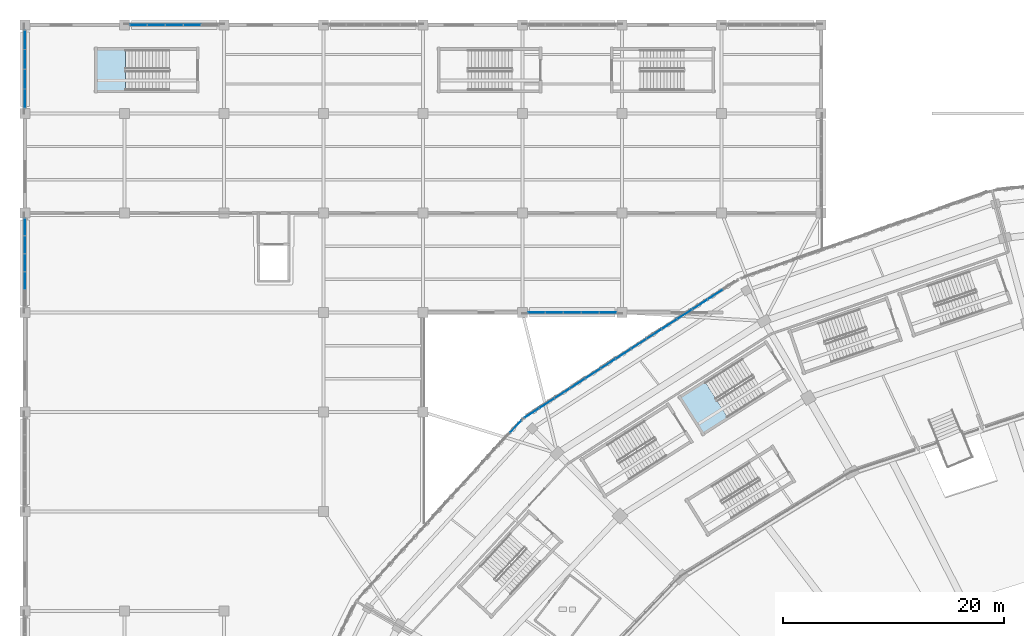
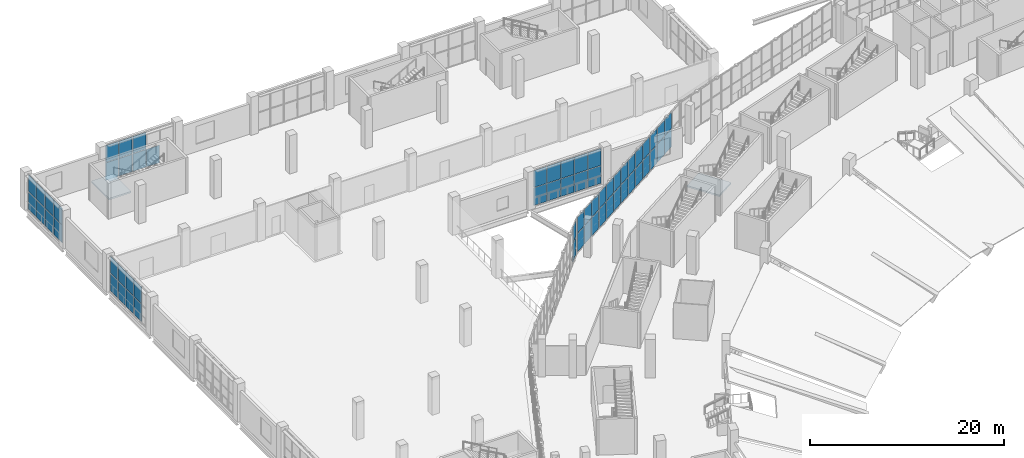
# One storey, part 88 of 183: 61 plates, 2 slabs, 8 elements without a shape of their own.
"""IFC4 building model written with IfcOpenShell, lengths in metres."""

from ifc_helpers import new_model, si_unit, direction, frame, origin, origin_2d, place, context, subcontext, project, spatial, polyline, rectangle, outline, extrude, material, layer, layer_set, type_object, element, aggregate, save


model = new_model("IFC4")

# Units and contexts
model_context = context("Model", 3, precision=1e-05, world=origin(), true_north=direction((0.0, 1.0)))
body_context = subcontext(model_context, "Body", "Model", "MODEL_VIEW")
ifc_project = project(units=[si_unit("LENGTHUNIT", "METRE"), si_unit("AREAUNIT", "SQUARE_METRE"), si_unit("VOLUMEUNIT", "CUBIC_METRE"), si_unit("PLANEANGLEUNIT", "RADIAN"), si_unit("MASSUNIT", "GRAM", prefix="KILO")], contexts=[model_context])

# Site, building, storey
site_placement = place(None, origin())
site = spatial("IfcSite", under=ifc_project, at=site_placement, CompositionType="ELEMENT")
building_placement = place(site_placement, origin())
building = spatial("IfcBuilding", under=site, at=building_placement, Name="Zevraka Park Crest Stadium", CompositionType="ELEMENT")
storey_placement = place(building_placement, frame((0.0, 0.0, 5.39990234375)))
storey = spatial("IfcBuildingStorey", under=building, at=storey_placement, Name="L01", CompositionType="ELEMENT", Elevation=5.39990234375)

# Curtain wall, plates
ifc_material_1 = material(Name="Anodised architectural aluminium and laminated safety glass", Category="aluminium")
curtain_wall_type_1 = type_object("IfcCurtainWallType", Name="CW03", PredefinedType="NOTDEFINED", material=ifc_material_1)
curtain_wall_1_placement = place(storey_placement, origin())
curtain_wall_1 = element("IfcCurtainWall", 1, at=curtain_wall_1_placement, inside=storey, type_object=curtain_wall_type_1, Name="Unitised Ring Curtain Wall CW03 L01-08", PredefinedType="NOTDEFINED")
ifc_material_2 = material(Name="Solar-control laminated double glazing", Category="glass")
ifc_layer_1 = layer(ifc_material_2, 0.028076171875)
ifc_layer_set_1 = layer_set([ifc_layer_1], Name="Solar-control laminated double glazing")
plate_type_1 = type_object("IfcPlateType", Name="CP03", PredefinedType="CURTAIN_PANEL", material=ifc_layer_set_1)
plate_1_placement = place(storey_placement, frame((62.447509765625, 159.62353515625, 0.070068359375), z_axis=(0.0, 0.0, 1.0), x_axis=(-0.840010186018, -0.542570628938, 0.0)))
plate_1 = element("IfcPlate", 2, at=plate_1_placement, type_object=plate_type_1, Name="CW03 panel 2.1", PredefinedType="CURTAIN_PANEL", context=body_context, shape_type="SweptSolid", body=[
    extrude(rectangle(XDim=1.57958984375, YDim=0.028076171875, at=origin_2d()), origin(), (0.0, 0.0, 1.0), 2.294921875),
])
plate_2_placement = place(storey_placement, frame((62.447509765625, 159.62353515625, 2.43505859375), z_axis=(0.0, 0.0, 1.0), x_axis=(-0.840010186018, -0.542570628938, 0.0)))
plate_2 = element("IfcPlate", 3, at=plate_2_placement, type_object=plate_type_1, Name="CW03 panel 2.2", PredefinedType="CURTAIN_PANEL", context=body_context, shape_type="SweptSolid", body=[
    extrude(rectangle(XDim=1.57958984375, YDim=0.028076171875, at=origin_2d()), origin(), (0.0, 0.0, 1.0), 2.014892578125),
])
plate_3_placement = place(storey_placement, frame((61.06201171875, 158.728515625, 0.070068359375), z_axis=(0.0, 0.0, 1.0), x_axis=(-0.840010186018, -0.542570628938, 0.0)))
plate_3 = element("IfcPlate", 4, at=plate_3_placement, type_object=plate_type_1, Name="CW03 panel 3.1", PredefinedType="CURTAIN_PANEL", context=body_context, shape_type="SweptSolid", body=[
    extrude(rectangle(XDim=1.57958984375, YDim=0.028076171875, at=origin_2d()), origin(), (0.0, 0.0, 1.0), 2.294921875),
])
plate_4_placement = place(storey_placement, frame((61.06201171875, 158.728515625, 2.43505859375), z_axis=(0.0, 0.0, 1.0), x_axis=(-0.840010186018, -0.542570628938, 0.0)))
plate_4 = element("IfcPlate", 5, at=plate_4_placement, type_object=plate_type_1, Name="CW03 panel 3.2", PredefinedType="CURTAIN_PANEL", context=body_context, shape_type="SweptSolid", body=[
    extrude(rectangle(XDim=1.57958984375, YDim=0.028076171875, at=origin_2d()), origin(), (0.0, 0.0, 1.0), 2.014892578125),
])
plate_5_placement = place(storey_placement, frame((59.67626953125, 157.83349609375, 0.070068359375), z_axis=(0.0, 0.0, 1.0), x_axis=(-0.840010186018, -0.542570628938, 0.0)))
plate_5 = element("IfcPlate", 6, at=plate_5_placement, type_object=plate_type_1, Name="CW03 panel 4.1", PredefinedType="CURTAIN_PANEL", context=body_context, shape_type="SweptSolid", body=[
    extrude(rectangle(XDim=1.57958984375, YDim=0.028076171875, at=origin_2d()), origin(), (0.0, 0.0, 1.0), 2.294921875),
])
plate_6_placement = place(storey_placement, frame((59.67626953125, 157.83349609375, 2.43505859375), z_axis=(0.0, 0.0, 1.0), x_axis=(-0.840010186018, -0.542570628938, 0.0)))
plate_6 = element("IfcPlate", 7, at=plate_6_placement, type_object=plate_type_1, Name="CW03 panel 4.2", PredefinedType="CURTAIN_PANEL", context=body_context, shape_type="SweptSolid", body=[
    extrude(rectangle(XDim=1.57958984375, YDim=0.028076171875, at=origin_2d()), origin(), (0.0, 0.0, 1.0), 2.014892578125),
])
plate_7_placement = place(storey_placement, frame((58.29052734375, 156.9384765625, 0.070068359375), z_axis=(0.0, 0.0, 1.0), x_axis=(-0.840010186018, -0.542570628938, 0.0)))
plate_7 = element("IfcPlate", 8, at=plate_7_placement, type_object=plate_type_1, Name="CW03 panel 5.1", PredefinedType="CURTAIN_PANEL", context=body_context, shape_type="SweptSolid", body=[
    extrude(rectangle(XDim=1.57958984375, YDim=0.028076171875, at=origin_2d()), origin(), (0.0, 0.0, 1.0), 2.294921875),
])
plate_8_placement = place(storey_placement, frame((58.29052734375, 156.9384765625, 2.43505859375), z_axis=(0.0, 0.0, 1.0), x_axis=(-0.840010186018, -0.542570628938, 0.0)))
plate_8 = element("IfcPlate", 9, at=plate_8_placement, type_object=plate_type_1, Name="CW03 panel 5.2", PredefinedType="CURTAIN_PANEL", context=body_context, shape_type="SweptSolid", body=[
    extrude(rectangle(XDim=1.57958984375, YDim=0.028076171875, at=origin_2d()), origin(), (0.0, 0.0, 1.0), 2.014892578125),
])
plate_9_placement = place(storey_placement, frame((56.905029296875, 156.04345703125, 0.070068359375), z_axis=(0.0, 0.0, 1.0), x_axis=(-0.840010186018, -0.542570628938, 0.0)))
plate_9 = element("IfcPlate", 10, at=plate_9_placement, type_object=plate_type_1, Name="CW03 panel 6.1", PredefinedType="CURTAIN_PANEL", context=body_context, shape_type="SweptSolid", body=[
    extrude(rectangle(XDim=1.57958984375, YDim=0.028076171875, at=origin_2d()), origin(), (0.0, 0.0, 1.0), 2.294921875),
])
plate_10_placement = place(storey_placement, frame((56.905029296875, 156.04345703125, 2.43505859375), z_axis=(0.0, 0.0, 1.0), x_axis=(-0.840010186018, -0.542570628938, 0.0)))
plate_10 = element("IfcPlate", 11, at=plate_10_placement, type_object=plate_type_1, Name="CW03 panel 6.2", PredefinedType="CURTAIN_PANEL", context=body_context, shape_type="SweptSolid", body=[
    extrude(rectangle(XDim=1.57958984375, YDim=0.028076171875, at=origin_2d()), origin(), (0.0, 0.0, 1.0), 2.014892578125),
])
plate_11_placement = place(storey_placement, frame((55.519287109375, 155.1484375, 0.070068359375), z_axis=(0.0, 0.0, 1.0), x_axis=(-0.840010186018, -0.542570628938, 0.0)))
plate_11 = element("IfcPlate", 12, at=plate_11_placement, type_object=plate_type_1, Name="CW03 panel 7.1", PredefinedType="CURTAIN_PANEL", context=body_context, shape_type="SweptSolid", body=[
    extrude(rectangle(XDim=1.57958984375, YDim=0.028076171875, at=origin_2d()), origin(), (0.0, 0.0, 1.0), 2.294921875),
])
plate_12_placement = place(storey_placement, frame((55.519287109375, 155.1484375, 2.43505859375), z_axis=(0.0, 0.0, 1.0), x_axis=(-0.840010186018, -0.542570628938, 0.0)))
plate_12 = element("IfcPlate", 13, at=plate_12_placement, type_object=plate_type_1, Name="CW03 panel 7.2", PredefinedType="CURTAIN_PANEL", context=body_context, shape_type="SweptSolid", body=[
    extrude(rectangle(XDim=1.57958984375, YDim=0.028076171875, at=origin_2d()), origin(), (0.0, 0.0, 1.0), 2.014892578125),
])
plate_13_placement = place(storey_placement, frame((54.1337890625, 154.25341796875, 0.070068359375), z_axis=(0.0, 0.0, 1.0), x_axis=(-0.840010186018, -0.542570628938, 0.0)))
plate_13 = element("IfcPlate", 14, at=plate_13_placement, type_object=plate_type_1, Name="CW03 panel 8.1", PredefinedType="CURTAIN_PANEL", context=body_context, shape_type="SweptSolid", body=[
    extrude(rectangle(XDim=1.57958984375, YDim=0.028076171875, at=origin_2d()), origin(), (0.0, 0.0, 1.0), 2.294921875),
])
plate_14_placement = place(storey_placement, frame((54.1337890625, 154.25341796875, 2.43505859375), z_axis=(0.0, 0.0, 1.0), x_axis=(-0.840010186018, -0.542570628938, 0.0)))
plate_14 = element("IfcPlate", 15, at=plate_14_placement, type_object=plate_type_1, Name="CW03 panel 8.2", PredefinedType="CURTAIN_PANEL", context=body_context, shape_type="SweptSolid", body=[
    extrude(rectangle(XDim=1.57958984375, YDim=0.028076171875, at=origin_2d()), origin(), (0.0, 0.0, 1.0), 2.014892578125),
])
plate_15_placement = place(storey_placement, frame((52.748046875, 153.3583984375, 0.070068359375), z_axis=(0.0, 0.0, 1.0), x_axis=(-0.840010186018, -0.542570628938, 0.0)))
plate_15 = element("IfcPlate", 16, at=plate_15_placement, type_object=plate_type_1, Name="CW03 panel 9.1", PredefinedType="CURTAIN_PANEL", context=body_context, shape_type="SweptSolid", body=[
    extrude(rectangle(XDim=1.57958984375, YDim=0.028076171875, at=origin_2d()), origin(), (0.0, 0.0, 1.0), 2.294921875),
])
plate_16_placement = place(storey_placement, frame((52.748046875, 153.3583984375, 2.43505859375), z_axis=(0.0, 0.0, 1.0), x_axis=(-0.840010186018, -0.542570628938, 0.0)))
plate_16 = element("IfcPlate", 17, at=plate_16_placement, type_object=plate_type_1, Name="CW03 panel 9.2", PredefinedType="CURTAIN_PANEL", context=body_context, shape_type="SweptSolid", body=[
    extrude(rectangle(XDim=1.57958984375, YDim=0.028076171875, at=origin_2d()), origin(), (0.0, 0.0, 1.0), 2.014892578125),
])
plate_17_placement = place(storey_placement, frame((51.3623046875, 152.46337890625, 0.070068359375), z_axis=(0.0, 0.0, 1.0), x_axis=(-0.840010186018, -0.542570628938, 0.0)))
plate_17 = element("IfcPlate", 18, at=plate_17_placement, type_object=plate_type_1, Name="CW03 panel 10.1", PredefinedType="CURTAIN_PANEL", context=body_context, shape_type="SweptSolid", body=[
    extrude(rectangle(XDim=1.57958984375, YDim=0.028076171875, at=origin_2d()), origin(), (0.0, 0.0, 1.0), 2.294921875),
])
plate_18_placement = place(storey_placement, frame((51.3623046875, 152.46337890625, 2.43505859375), z_axis=(0.0, 0.0, 1.0), x_axis=(-0.840010186018, -0.542570628938, 0.0)))
plate_18 = element("IfcPlate", 19, at=plate_18_placement, type_object=plate_type_1, Name="CW03 panel 10.2", PredefinedType="CURTAIN_PANEL", context=body_context, shape_type="SweptSolid", body=[
    extrude(rectangle(XDim=1.57958984375, YDim=0.028076171875, at=origin_2d()), origin(), (0.0, 0.0, 1.0), 2.014892578125),
])
plate_19_placement = place(storey_placement, frame((49.976806640625, 151.568603515625, 0.070068359375), z_axis=(0.0, 0.0, 1.0), x_axis=(-0.840010186018, -0.542570628938, 0.0)))
plate_19 = element("IfcPlate", 20, at=plate_19_placement, type_object=plate_type_1, Name="CW03 panel 11.1", PredefinedType="CURTAIN_PANEL", context=body_context, shape_type="SweptSolid", body=[
    extrude(rectangle(XDim=1.57958984375, YDim=0.028076171875, at=origin_2d()), origin(), (0.0, 0.0, 1.0), 2.294921875),
])
plate_20_placement = place(storey_placement, frame((49.976806640625, 151.568603515625, 2.43505859375), z_axis=(0.0, 0.0, 1.0), x_axis=(-0.840010186018, -0.542570628938, 0.0)))
plate_20 = element("IfcPlate", 21, at=plate_20_placement, type_object=plate_type_1, Name="CW03 panel 11.2", PredefinedType="CURTAIN_PANEL", context=body_context, shape_type="SweptSolid", body=[
    extrude(rectangle(XDim=1.57958984375, YDim=0.028076171875, at=origin_2d()), origin(), (0.0, 0.0, 1.0), 2.014892578125),
])
plate_21_placement = place(storey_placement, frame((48.591064453125, 150.673583984375, 0.070068359375), z_axis=(0.0, 0.0, 1.0), x_axis=(-0.840010186018, -0.542570628938, 0.0)))
plate_21 = element("IfcPlate", 22, at=plate_21_placement, type_object=plate_type_1, Name="CW03 panel 12.1", PredefinedType="CURTAIN_PANEL", context=body_context, shape_type="SweptSolid", body=[
    extrude(rectangle(XDim=1.57958984375, YDim=0.028076171875, at=origin_2d()), origin(), (0.0, 0.0, 1.0), 2.294921875),
])
plate_22_placement = place(storey_placement, frame((48.591064453125, 150.673583984375, 2.43505859375), z_axis=(0.0, 0.0, 1.0), x_axis=(-0.840010186018, -0.542570628938, 0.0)))
plate_22 = element("IfcPlate", 23, at=plate_22_placement, type_object=plate_type_1, Name="CW03 panel 12.2", PredefinedType="CURTAIN_PANEL", context=body_context, shape_type="SweptSolid", body=[
    extrude(rectangle(XDim=1.57958984375, YDim=0.028076171875, at=origin_2d()), origin(), (0.0, 0.0, 1.0), 2.014892578125),
])
plate_23_placement = place(storey_placement, frame((47.20556640625, 149.778564453125, 0.070068359375), z_axis=(0.0, 0.0, 1.0), x_axis=(-0.840010186018, -0.542570628938, 0.0)))
plate_23 = element("IfcPlate", 24, at=plate_23_placement, type_object=plate_type_1, Name="CW03 panel 13.1", PredefinedType="CURTAIN_PANEL", context=body_context, shape_type="SweptSolid", body=[
    extrude(rectangle(XDim=1.57958984375, YDim=0.028076171875, at=origin_2d()), origin(), (0.0, 0.0, 1.0), 2.294921875),
])
plate_24_placement = place(storey_placement, frame((47.20556640625, 149.778564453125, 2.43505859375), z_axis=(0.0, 0.0, 1.0), x_axis=(-0.840010186018, -0.542570628938, 0.0)))
plate_24 = element("IfcPlate", 25, at=plate_24_placement, type_object=plate_type_1, Name="CW03 panel 13.2", PredefinedType="CURTAIN_PANEL", context=body_context, shape_type="SweptSolid", body=[
    extrude(rectangle(XDim=1.57958984375, YDim=0.028076171875, at=origin_2d()), origin(), (0.0, 0.0, 1.0), 2.014892578125),
])
plate_25_placement = place(storey_placement, frame((45.83447265625, 148.89306640625, 0.070068359375), z_axis=(0.0, 0.0, 1.0), x_axis=(-0.840010186018, -0.542570628938, 0.0)))
plate_25 = element("IfcPlate", 26, at=plate_25_placement, type_object=plate_type_1, Name="CW03 panel 14.1", PredefinedType="CURTAIN_PANEL", context=body_context, shape_type="SweptSolid", body=[
    extrude(rectangle(XDim=1.54443359375, YDim=0.028076171875, at=origin_2d()), origin(), (0.0, 0.0, 1.0), 2.294921875),
])
plate_26_placement = place(storey_placement, frame((45.83447265625, 148.89306640625, 2.43505859375), z_axis=(0.0, 0.0, 1.0), x_axis=(-0.840010186018, -0.542570628938, 0.0)))
plate_26 = element("IfcPlate", 27, at=plate_26_placement, type_object=plate_type_1, Name="CW03 panel 14.2", PredefinedType="CURTAIN_PANEL", context=body_context, shape_type="SweptSolid", body=[
    extrude(rectangle(XDim=1.54443359375, YDim=0.028076171875, at=origin_2d()), origin(), (0.0, 0.0, 1.0), 2.014892578125),
])
aggregate(curtain_wall_1, [plate_1, plate_2, plate_3, plate_4, plate_5, plate_6, plate_7, plate_8, plate_9, plate_10, plate_11, plate_12, plate_13, plate_14, plate_15, plate_16, plate_17, plate_18, plate_19, plate_20, plate_21, plate_22, plate_23, plate_24, plate_25, plate_26])

curtain_wall_2_placement = place(storey_placement, origin())
curtain_wall_2 = element("IfcCurtainWall", 28, at=curtain_wall_2_placement, inside=storey, type_object=curtain_wall_type_1, Name="Unitised Ring Curtain Wall CW03 L01-09", PredefinedType="NOTDEFINED")
plate_27_placement = place(storey_placement, frame((44.387939453125, 147.67431640625, 0.070068359375), z_axis=(0.0, 0.0, 1.0), x_axis=(-0.673679672672, -0.739023476371, 0.0)))
plate_27 = element("IfcPlate", 29, at=plate_27_placement, type_object=plate_type_1, Name="CW03 panel 1.1", PredefinedType="CURTAIN_PANEL", context=body_context, shape_type="SweptSolid", body=[
    extrude(rectangle(XDim=1.472412109375, YDim=0.028076171875, at=origin_2d()), origin(), (0.0, 0.0, 1.0), 2.294921875),
])
plate_28_placement = place(storey_placement, frame((44.387939453125, 147.67431640625, 2.43505859375), z_axis=(0.0, 0.0, 1.0), x_axis=(-0.673679672672, -0.739023476371, 0.0)))
plate_28 = element("IfcPlate", 30, at=plate_28_placement, type_object=plate_type_1, Name="CW03 panel 1.2", PredefinedType="CURTAIN_PANEL", context=body_context, shape_type="SweptSolid", body=[
    extrude(rectangle(XDim=1.472412109375, YDim=0.028076171875, at=origin_2d()), origin(), (0.0, 0.0, 1.0), 2.014892578125),
])
aggregate(curtain_wall_2, [plate_27, plate_28])

ifc_material_3 = material(Name="Anodised architectural aluminium and laminated safety glass", Category="aluminium")
curtain_wall_type_2 = type_object("IfcCurtainWallType", Name="CW27", PredefinedType="NOTDEFINED", material=ifc_material_3)
curtain_wall_3_placement = place(storey_placement, origin())
curtain_wall_3 = element("IfcCurtainWall", 31, at=curtain_wall_3_placement, inside=storey, type_object=curtain_wall_type_2, Name="Wing Curtain Wall CW27 L01-NW-W-6", PredefinedType="NOTDEFINED")
ifc_material_4 = material(Name="Solar-control laminated double glazing", Category="glass")
ifc_layer_2 = layer(ifc_material_4, 0.035888671875)
ifc_layer_set_2 = layer_set([ifc_layer_2], Name="Solar-control laminated double glazing")
plate_type_2 = type_object("IfcPlateType", Name="CP27", PredefinedType="CURTAIN_PANEL", material=ifc_layer_set_2)
plate_29_placement = place(storey_placement, frame((0.0, 160.8759765625, 0.06982421875), z_axis=(0.0, 0.0, 1.0), x_axis=(0.0, 1.0, 0.0)))
plate_29 = element("IfcPlate", 32, at=plate_29_placement, type_object=plate_type_2, Name="CW27 panel 2.1", PredefinedType="CURTAIN_PANEL", context=body_context, shape_type="SweptSolid", body=[
    extrude(rectangle(XDim=1.553955078125, YDim=0.035888671875, at=origin_2d()), origin(), (0.0, 0.0, 1.0), 2.195068359375),
])
plate_30_placement = place(storey_placement, frame((0.0, 160.8759765625, 2.3349609375), z_axis=(0.0, 0.0, 1.0), x_axis=(0.0, 1.0, 0.0)))
plate_30 = element("IfcPlate", 33, at=plate_30_placement, type_object=plate_type_2, Name="CW27 panel 2.2", PredefinedType="CURTAIN_PANEL", context=body_context, shape_type="SweptSolid", body=[
    extrude(rectangle(XDim=1.553955078125, YDim=0.035888671875, at=origin_2d()), origin(), (0.0, 0.0, 1.0), 2.114990234375),
])
plate_31_placement = place(storey_placement, frame((0.0, 162.5, 0.06982421875), z_axis=(0.0, 0.0, 1.0), x_axis=(0.0, 1.0, 0.0)))
plate_31 = element("IfcPlate", 34, at=plate_31_placement, type_object=plate_type_2, Name="CW27 panel 3.1", PredefinedType="CURTAIN_PANEL", context=body_context, shape_type="SweptSolid", body=[
    extrude(rectangle(XDim=1.553955078125, YDim=0.035888671875, at=origin_2d()), origin(), (0.0, 0.0, 1.0), 2.195068359375),
])
plate_32_placement = place(storey_placement, frame((0.0, 162.5, 2.3349609375), z_axis=(0.0, 0.0, 1.0), x_axis=(0.0, 1.0, 0.0)))
plate_32 = element("IfcPlate", 35, at=plate_32_placement, type_object=plate_type_2, Name="CW27 panel 3.2", PredefinedType="CURTAIN_PANEL", context=body_context, shape_type="SweptSolid", body=[
    extrude(rectangle(XDim=1.553955078125, YDim=0.035888671875, at=origin_2d()), origin(), (0.0, 0.0, 1.0), 2.114990234375),
])
plate_33_placement = place(storey_placement, frame((0.0, 164.1240234375, 0.06982421875), z_axis=(0.0, 0.0, 1.0), x_axis=(0.0, 1.0, 0.0)))
plate_33 = element("IfcPlate", 36, at=plate_33_placement, type_object=plate_type_2, Name="CW27 panel 4.1", PredefinedType="CURTAIN_PANEL", context=body_context, shape_type="SweptSolid", body=[
    extrude(rectangle(XDim=1.553955078125, YDim=0.035888671875, at=origin_2d()), origin(), (0.0, 0.0, 1.0), 2.195068359375),
])
plate_34_placement = place(storey_placement, frame((0.0, 164.1240234375, 2.3349609375), z_axis=(0.0, 0.0, 1.0), x_axis=(0.0, 1.0, 0.0)))
plate_34 = element("IfcPlate", 37, at=plate_34_placement, type_object=plate_type_2, Name="CW27 panel 4.2", PredefinedType="CURTAIN_PANEL", context=body_context, shape_type="SweptSolid", body=[
    extrude(rectangle(XDim=1.553955078125, YDim=0.035888671875, at=origin_2d()), origin(), (0.0, 0.0, 1.0), 2.114990234375),
])
plate_35_placement = place(storey_placement, frame((0.0, 165.73046875, 0.06982421875), z_axis=(0.0, 0.0, 1.0), x_axis=(0.0, 1.0, 0.0)))
plate_35 = element("IfcPlate", 38, at=plate_35_placement, type_object=plate_type_2, Name="CW27 panel 5.1", PredefinedType="CURTAIN_PANEL", context=body_context, shape_type="SweptSolid", body=[
    extrude(rectangle(XDim=1.51904296875, YDim=0.035888671875, at=origin_2d()), origin(), (0.0, 0.0, 1.0), 2.195068359375),
])
plate_36_placement = place(storey_placement, frame((0.0, 165.73046875, 2.3349609375), z_axis=(0.0, 0.0, 1.0), x_axis=(0.0, 1.0, 0.0)))
plate_36 = element("IfcPlate", 39, at=plate_36_placement, type_object=plate_type_2, Name="CW27 panel 5.2", PredefinedType="CURTAIN_PANEL", context=body_context, shape_type="SweptSolid", body=[
    extrude(rectangle(XDim=1.51904296875, YDim=0.035888671875, at=origin_2d()), origin(), (0.0, 0.0, 1.0), 2.114990234375),
])
aggregate(curtain_wall_3, [plate_29, plate_30, plate_31, plate_32, plate_33, plate_34, plate_35, plate_36])

ifc_material_5 = material(Name="Anodised architectural aluminium and laminated safety glass", Category="aluminium")
curtain_wall_type_3 = type_object("IfcCurtainWallType", Name="CW28", PredefinedType="NOTDEFINED", material=ifc_material_5)
curtain_wall_4_placement = place(storey_placement, origin())
curtain_wall_4 = element("IfcCurtainWall", 40, at=curtain_wall_4_placement, inside=storey, type_object=curtain_wall_type_3, Name="Wing Curtain Wall CW28 L01-NW-N-2", PredefinedType="NOTDEFINED")
ifc_material_6 = material(Name="Solar-control laminated double glazing", Category="glass")
ifc_layer_3 = layer(ifc_material_6, 0.035888671875)
ifc_layer_set_3 = layer_set([ifc_layer_3], Name="Solar-control laminated double glazing")
plate_type_3 = type_object("IfcPlateType", Name="CP28", PredefinedType="CURTAIN_PANEL", material=ifc_layer_set_3)
plate_37_placement = place(storey_placement, frame((10.26708984375, 184.0, 0.06005859375), z_axis=(0.0, 0.0, 1.0), x_axis=(1.0, 0.0, 0.0)))
plate_37 = element("IfcPlate", 41, at=plate_37_placement, type_object=plate_type_3, Name="CW28 panel 1.1", PredefinedType="CURTAIN_PANEL", context=body_context, shape_type="SweptSolid", body=[
    extrude(rectangle(XDim=1.533935546875, YDim=0.035888671875, at=origin_2d()), origin(), (0.0, 0.0, 1.0), 2.2099609375),
])
plate_38_placement = place(storey_placement, frame((10.26708984375, 184.0, 2.330078125), z_axis=(0.0, 0.0, 1.0), x_axis=(1.0, 0.0, 0.0)))
plate_38 = element("IfcPlate", 42, at=plate_38_placement, type_object=plate_type_3, Name="CW28 panel 1.2", PredefinedType="CURTAIN_PANEL", context=body_context, shape_type="SweptSolid", body=[
    extrude(rectangle(XDim=1.533935546875, YDim=0.035888671875, at=origin_2d()), origin(), (0.0, 0.0, 1.0), 2.1298828125),
])
plate_39_placement = place(storey_placement, frame((11.8759765625, 184.0, 0.06005859375), z_axis=(0.0, 0.0, 1.0), x_axis=(1.0, 0.0, 0.0)))
plate_39 = element("IfcPlate", 43, at=plate_39_placement, type_object=plate_type_3, Name="CW28 panel 2.1", PredefinedType="CURTAIN_PANEL", context=body_context, shape_type="SweptSolid", body=[
    extrude(rectangle(XDim=1.56396484375, YDim=0.035888671875, at=origin_2d()), origin(), (0.0, 0.0, 1.0), 2.2099609375),
])
plate_40_placement = place(storey_placement, frame((11.8759765625, 184.0, 2.330078125), z_axis=(0.0, 0.0, 1.0), x_axis=(1.0, 0.0, 0.0)))
plate_40 = element("IfcPlate", 44, at=plate_40_placement, type_object=plate_type_3, Name="CW28 panel 2.2", PredefinedType="CURTAIN_PANEL", context=body_context, shape_type="SweptSolid", body=[
    extrude(rectangle(XDim=1.56396484375, YDim=0.035888671875, at=origin_2d()), origin(), (0.0, 0.0, 1.0), 2.1298828125),
])
plate_41_placement = place(storey_placement, frame((13.5, 184.0, 0.06005859375), z_axis=(0.0, 0.0, 1.0), x_axis=(1.0, 0.0, 0.0)))
plate_41 = element("IfcPlate", 45, at=plate_41_placement, type_object=plate_type_3, Name="CW28 panel 3.1", PredefinedType="CURTAIN_PANEL", context=body_context, shape_type="SweptSolid", body=[
    extrude(rectangle(XDim=1.56396484375, YDim=0.035888671875, at=origin_2d()), origin(), (0.0, 0.0, 1.0), 2.2099609375),
])
plate_42_placement = place(storey_placement, frame((13.5, 184.0, 2.330078125), z_axis=(0.0, 0.0, 1.0), x_axis=(1.0, 0.0, 0.0)))
plate_42 = element("IfcPlate", 46, at=plate_42_placement, type_object=plate_type_3, Name="CW28 panel 3.2", PredefinedType="CURTAIN_PANEL", context=body_context, shape_type="SweptSolid", body=[
    extrude(rectangle(XDim=1.56396484375, YDim=0.035888671875, at=origin_2d()), origin(), (0.0, 0.0, 1.0), 2.1298828125),
])
plate_43_placement = place(storey_placement, frame((15.1240234375, 184.0, 0.06005859375), z_axis=(0.0, 0.0, 1.0), x_axis=(1.0, 0.0, 0.0)))
plate_43 = element("IfcPlate", 47, at=plate_43_placement, type_object=plate_type_3, Name="CW28 panel 4.1", PredefinedType="CURTAIN_PANEL", context=body_context, shape_type="SweptSolid", body=[
    extrude(rectangle(XDim=1.56396484375, YDim=0.035888671875, at=origin_2d()), origin(), (0.0, 0.0, 1.0), 2.2099609375),
])
aggregate(curtain_wall_4, [plate_37, plate_38, plate_39, plate_40, plate_41, plate_42, plate_43])

curtain_wall_5_placement = place(storey_placement, origin())
curtain_wall_5 = element("IfcCurtainWall", 48, at=curtain_wall_5_placement, inside=storey, type_object=curtain_wall_type_3, Name="Wing Curtain Wall CW28 L01-NW-VER1-2", PredefinedType="NOTDEFINED")
plate_44_placement = place(storey_placement, frame((52.73291015625, 158.0, 0.06005859375), z_axis=(0.0, 0.0, 1.0), x_axis=(-1.0, 0.0, 0.0)))
plate_44 = element("IfcPlate", 49, at=plate_44_placement, type_object=plate_type_3, Name="CW28 panel 1.1", PredefinedType="CURTAIN_PANEL", context=body_context, shape_type="SweptSolid", body=[
    extrude(rectangle(XDim=1.533935546875, YDim=0.035888671875, at=origin_2d()), origin(), (0.0, 0.0, 1.0), 2.2099609375),
])
plate_45_placement = place(storey_placement, frame((52.73291015625, 158.0, 2.330078125), z_axis=(0.0, 0.0, 1.0), x_axis=(-1.0, 0.0, 0.0)))
plate_45 = element("IfcPlate", 50, at=plate_45_placement, type_object=plate_type_3, Name="CW28 panel 1.2", PredefinedType="CURTAIN_PANEL", context=body_context, shape_type="SweptSolid", body=[
    extrude(rectangle(XDim=1.533935546875, YDim=0.035888671875, at=origin_2d()), origin(), (0.0, 0.0, 1.0), 2.1298828125),
])
plate_46_placement = place(storey_placement, frame((51.1240234375, 158.0, 0.06005859375), z_axis=(0.0, 0.0, 1.0), x_axis=(-1.0, 0.0, 0.0)))
plate_46 = element("IfcPlate", 51, at=plate_46_placement, type_object=plate_type_3, Name="CW28 panel 2.1", PredefinedType="CURTAIN_PANEL", context=body_context, shape_type="SweptSolid", body=[
    extrude(rectangle(XDim=1.56396484375, YDim=0.035888671875, at=origin_2d()), origin(), (0.0, 0.0, 1.0), 2.2099609375),
])
plate_47_placement = place(storey_placement, frame((51.1240234375, 158.0, 2.330078125), z_axis=(0.0, 0.0, 1.0), x_axis=(-1.0, 0.0, 0.0)))
plate_47 = element("IfcPlate", 52, at=plate_47_placement, type_object=plate_type_3, Name="CW28 panel 2.2", PredefinedType="CURTAIN_PANEL", context=body_context, shape_type="SweptSolid", body=[
    extrude(rectangle(XDim=1.56396484375, YDim=0.035888671875, at=origin_2d()), origin(), (0.0, 0.0, 1.0), 2.1298828125),
])
plate_48_placement = place(storey_placement, frame((49.5, 158.0, 0.06005859375), z_axis=(0.0, 0.0, 1.0), x_axis=(-1.0, 0.0, 0.0)))
plate_48 = element("IfcPlate", 53, at=plate_48_placement, type_object=plate_type_3, Name="CW28 panel 3.1", PredefinedType="CURTAIN_PANEL", context=body_context, shape_type="SweptSolid", body=[
    extrude(rectangle(XDim=1.56396484375, YDim=0.035888671875, at=origin_2d()), origin(), (0.0, 0.0, 1.0), 2.2099609375),
])
plate_49_placement = place(storey_placement, frame((49.5, 158.0, 2.330078125), z_axis=(0.0, 0.0, 1.0), x_axis=(-1.0, 0.0, 0.0)))
plate_49 = element("IfcPlate", 54, at=plate_49_placement, type_object=plate_type_3, Name="CW28 panel 3.2", PredefinedType="CURTAIN_PANEL", context=body_context, shape_type="SweptSolid", body=[
    extrude(rectangle(XDim=1.56396484375, YDim=0.035888671875, at=origin_2d()), origin(), (0.0, 0.0, 1.0), 2.1298828125),
])
plate_50_placement = place(storey_placement, frame((47.8759765625, 158.0, 0.06005859375), z_axis=(0.0, 0.0, 1.0), x_axis=(-1.0, 0.0, 0.0)))
plate_50 = element("IfcPlate", 55, at=plate_50_placement, type_object=plate_type_3, Name="CW28 panel 4.1", PredefinedType="CURTAIN_PANEL", context=body_context, shape_type="SweptSolid", body=[
    extrude(rectangle(XDim=1.56396484375, YDim=0.035888671875, at=origin_2d()), origin(), (0.0, 0.0, 1.0), 2.2099609375),
])
plate_51_placement = place(storey_placement, frame((47.8759765625, 158.0, 2.330078125), z_axis=(0.0, 0.0, 1.0), x_axis=(-1.0, 0.0, 0.0)))
plate_51 = element("IfcPlate", 56, at=plate_51_placement, type_object=plate_type_3, Name="CW28 panel 4.2", PredefinedType="CURTAIN_PANEL", context=body_context, shape_type="SweptSolid", body=[
    extrude(rectangle(XDim=1.56396484375, YDim=0.035888671875, at=origin_2d()), origin(), (0.0, 0.0, 1.0), 2.1298828125),
])
plate_52_placement = place(storey_placement, frame((46.26708984375, 158.0, 0.06005859375), z_axis=(0.0, 0.0, 1.0), x_axis=(-1.0, 0.0, 0.0)))
plate_52 = element("IfcPlate", 57, at=plate_52_placement, type_object=plate_type_3, Name="CW28 panel 5.1", PredefinedType="CURTAIN_PANEL", context=body_context, shape_type="SweptSolid", body=[
    extrude(rectangle(XDim=1.533935546875, YDim=0.035888671875, at=origin_2d()), origin(), (0.0, 0.0, 1.0), 2.2099609375),
])
plate_53_placement = place(storey_placement, frame((46.26708984375, 158.0, 2.330078125), z_axis=(0.0, 0.0, 1.0), x_axis=(-1.0, 0.0, 0.0)))
plate_53 = element("IfcPlate", 58, at=plate_53_placement, type_object=plate_type_3, Name="CW28 panel 5.2", PredefinedType="CURTAIN_PANEL", context=body_context, shape_type="SweptSolid", body=[
    extrude(rectangle(XDim=1.533935546875, YDim=0.035888671875, at=origin_2d()), origin(), (0.0, 0.0, 1.0), 2.1298828125),
])
aggregate(curtain_wall_5, [plate_44, plate_45, plate_46, plate_47, plate_48, plate_49, plate_50, plate_51, plate_52, plate_53])

ifc_material_7 = material(Name="Anodised architectural aluminium and laminated safety glass", Category="aluminium")
curtain_wall_type_4 = type_object("IfcCurtainWallType", Name="CW29", PredefinedType="NOTDEFINED", material=ifc_material_7)
curtain_wall_6_placement = place(storey_placement, origin())
curtain_wall_6 = element("IfcCurtainWall", 59, at=curtain_wall_6_placement, inside=storey, type_object=curtain_wall_type_4, Name="Wing Curtain Wall CW29 L01-NW-W-8", PredefinedType="NOTDEFINED")
ifc_material_8 = material(Name="Solar-control laminated double glazing", Category="glass")
ifc_layer_4 = layer(ifc_material_8, 0.035888671875)
ifc_layer_set_4 = layer_set([ifc_layer_4], Name="Solar-control laminated double glazing")
plate_type_4 = type_object("IfcPlateType", Name="CP29", PredefinedType="CURTAIN_PANEL", material=ifc_layer_set_4)
plate_54_placement = place(storey_placement, frame((0.0, 177.34619140625, 0.06494140625), z_axis=(0.0, 0.0, 1.0), x_axis=(0.0, 1.0, 0.0)))
plate_54 = element("IfcPlate", 60, at=plate_54_placement, type_object=plate_type_4, Name="CW29 panel 1.1", PredefinedType="CURTAIN_PANEL", context=body_context, shape_type="SweptSolid", body=[
    extrude(rectangle(XDim=1.6826171875, YDim=0.035888671875, at=origin_2d()), origin(), (0.0, 0.0, 1.0), 2.202392578125),
])
plate_55_placement = place(storey_placement, frame((0.0, 177.34619140625, 2.33251953125), z_axis=(0.0, 0.0, 1.0), x_axis=(0.0, 1.0, 0.0)))
plate_55 = element("IfcPlate", 61, at=plate_55_placement, type_object=plate_type_4, Name="CW29 panel 1.2", PredefinedType="CURTAIN_PANEL", context=body_context, shape_type="SweptSolid", body=[
    extrude(rectangle(XDim=1.6826171875, YDim=0.035888671875, at=origin_2d()), origin(), (0.0, 0.0, 1.0), 2.12255859375),
])
plate_56_placement = place(storey_placement, frame((0.0, 179.110107421875, 0.06494140625), z_axis=(0.0, 0.0, 1.0), x_axis=(0.0, 1.0, 0.0)))
plate_56 = element("IfcPlate", 62, at=plate_56_placement, type_object=plate_type_4, Name="CW29 panel 2.1", PredefinedType="CURTAIN_PANEL", context=body_context, shape_type="SweptSolid", body=[
    extrude(rectangle(XDim=1.715087890625, YDim=0.035888671875, at=origin_2d()), origin(), (0.0, 0.0, 1.0), 2.202392578125),
])
plate_57_placement = place(storey_placement, frame((0.0, 179.110107421875, 2.33251953125), z_axis=(0.0, 0.0, 1.0), x_axis=(0.0, 1.0, 0.0)))
plate_57 = element("IfcPlate", 63, at=plate_57_placement, type_object=plate_type_4, Name="CW29 panel 2.2", PredefinedType="CURTAIN_PANEL", context=body_context, shape_type="SweptSolid", body=[
    extrude(rectangle(XDim=1.715087890625, YDim=0.035888671875, at=origin_2d()), origin(), (0.0, 0.0, 1.0), 2.12255859375),
])
plate_58_placement = place(storey_placement, frame((0.0, 180.889892578125, 0.06494140625), z_axis=(0.0, 0.0, 1.0), x_axis=(0.0, 1.0, 0.0)))
plate_58 = element("IfcPlate", 64, at=plate_58_placement, type_object=plate_type_4, Name="CW29 panel 3.1", PredefinedType="CURTAIN_PANEL", context=body_context, shape_type="SweptSolid", body=[
    extrude(rectangle(XDim=1.715087890625, YDim=0.035888671875, at=origin_2d()), origin(), (0.0, 0.0, 1.0), 2.202392578125),
])
plate_59_placement = place(storey_placement, frame((0.0, 180.889892578125, 2.33251953125), z_axis=(0.0, 0.0, 1.0), x_axis=(0.0, 1.0, 0.0)))
plate_59 = element("IfcPlate", 65, at=plate_59_placement, type_object=plate_type_4, Name="CW29 panel 3.2", PredefinedType="CURTAIN_PANEL", context=body_context, shape_type="SweptSolid", body=[
    extrude(rectangle(XDim=1.715087890625, YDim=0.035888671875, at=origin_2d()), origin(), (0.0, 0.0, 1.0), 2.12255859375),
])
plate_60_placement = place(storey_placement, frame((0.0, 182.65380859375, 0.06494140625), z_axis=(0.0, 0.0, 1.0), x_axis=(0.0, 1.0, 0.0)))
plate_60 = element("IfcPlate", 66, at=plate_60_placement, type_object=plate_type_4, Name="CW29 panel 4.1", PredefinedType="CURTAIN_PANEL", context=body_context, shape_type="SweptSolid", body=[
    extrude(rectangle(XDim=1.6826171875, YDim=0.035888671875, at=origin_2d()), origin(), (0.0, 0.0, 1.0), 2.202392578125),
])
plate_61_placement = place(storey_placement, frame((0.0, 182.65380859375, 2.33251953125), z_axis=(0.0, 0.0, 1.0), x_axis=(0.0, 1.0, 0.0)))
plate_61 = element("IfcPlate", 67, at=plate_61_placement, type_object=plate_type_4, Name="CW29 panel 4.2", PredefinedType="CURTAIN_PANEL", context=body_context, shape_type="SweptSolid", body=[
    extrude(rectangle(XDim=1.6826171875, YDim=0.035888671875, at=origin_2d()), origin(), (0.0, 0.0, 1.0), 2.12255859375),
])
aggregate(curtain_wall_6, [plate_54, plate_55, plate_56, plate_57, plate_58, plate_59, plate_60, plate_61])

# Stair, slab
ifc_material_9 = material(Name="Concrete C35/45", Category="concrete")
stair_type_1 = type_object("IfcStairType", Name="STA2", PredefinedType="HALF_TURN_STAIR", material=ifc_material_9)
stair_1_placement = place(storey_placement, origin())
stair_1 = element("IfcStair", 68, at=stair_1_placement, inside=storey, type_object=stair_type_1, Name="L01 Protected Concourse Exit Stair ST09", PredefinedType="HALF_TURN_STAIR")
ifc_material_10 = material(Name="Concrete C35/45", Category="concrete")
ifc_layer_5 = layer(ifc_material_10, 0.199951171875)
ifc_layer_set_5 = layer_set([ifc_layer_5], Name="Concrete C35/45")
slab_type = type_object("IfcSlabType", Name="LS01", PredefinedType="LANDING", material=ifc_layer_set_5)
slab_1_placement = place(storey_placement, frame((0.0, 0.0, 2.2001953125)))
slab_1 = element("IfcSlab", 69, at=slab_1_placement, type_object=slab_type, Name="ST09 landing 1", PredefinedType="LANDING", context=body_context, shape_type="SweptSolid", body=[
    extrude(outline(polyline([(61.541015625, 151.69189453125), (59.337158203125, 150.293701171875), (61.3515625, 147.118896484375), (63.555419921875, 148.51708984375), (61.541015625, 151.69189453125)])), origin(), (0.0, 0.0, 1.0), 0.199951171875),
])
aggregate(stair_1, [slab_1])

ifc_material_11 = material(Name="Concrete C35/45", Category="concrete")
stair_type_2 = type_object("IfcStairType", Name="STC2", PredefinedType="HALF_TURN_STAIR", material=ifc_material_11)
stair_2_placement = place(storey_placement, origin())
stair_2 = element("IfcStair", 70, at=stair_2_placement, inside=storey, type_object=stair_type_2, Name="L01 NW Veranda Wing North-West Stair ST47", PredefinedType="HALF_TURN_STAIR")
slab_2_placement = place(storey_placement, frame((0.0, 0.0, 2.2001953125)))
slab_2 = element("IfcSlab", 71, at=slab_2_placement, type_object=slab_type, Name="ST47 landing 1", PredefinedType="LANDING", context=body_context, shape_type="SweptSolid", body=[
    extrude(outline(polyline([(9.110107421875, 181.75), (6.5, 181.75), (6.5, 178.090087890625), (9.110107421875, 178.090087890625), (9.110107421875, 181.75)])), origin(), (0.0, 0.0, 1.0), 0.199951171875),
])
aggregate(stair_2, [slab_2])

save(model, "model.ifc")
